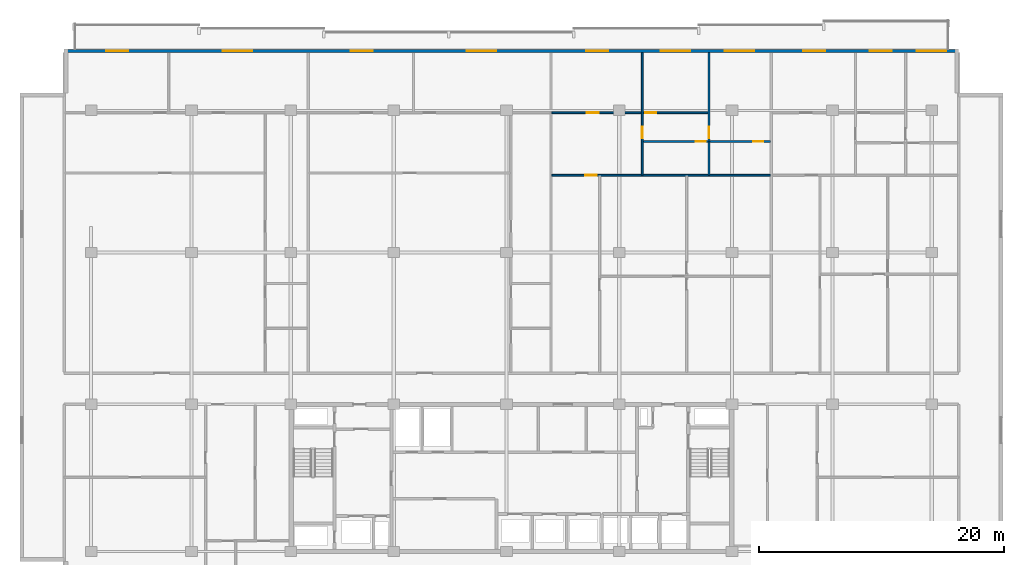
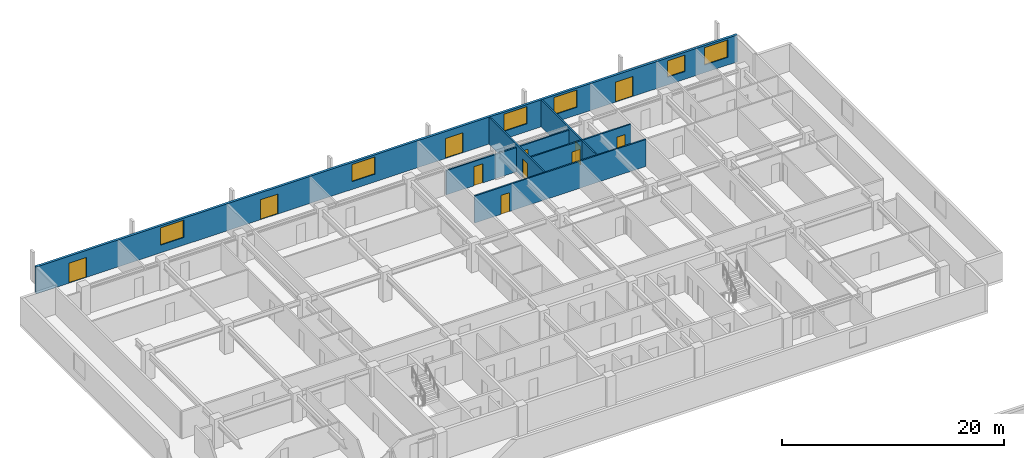
# One storey, part 14 of 21: 11 doors, 7 walls, 6 windows, 17 openings.
"""IFC4 building model written with IfcOpenShell, lengths in metres."""

from ifc_helpers import new_model, si_unit, direction, frame, frame_2d, origin, place, context, subcontext, project, spatial, rectangle, extrude, material, layer, layer_set, type_object, element, fill, save


model = new_model("IFC4")

# Units and contexts
model_context = context("Model", 3, precision=1e-05, world=origin(), true_north=direction((0.0, 1.0)))
body_context = subcontext(model_context, "Body", "Model", "MODEL_VIEW")
ifc_project = project(units=[si_unit("LENGTHUNIT", "METRE"), si_unit("AREAUNIT", "SQUARE_METRE"), si_unit("VOLUMEUNIT", "CUBIC_METRE"), si_unit("PLANEANGLEUNIT", "RADIAN"), si_unit("MASSUNIT", "GRAM", prefix="KILO")], contexts=[model_context])

# Site, building, storey
site_placement = place(None, origin())
site = spatial("IfcSite", under=ifc_project, at=site_placement, CompositionType="ELEMENT")
building_placement = place(site_placement, origin())
building = spatial("IfcBuilding", under=site, at=building_placement, Name="Korimba Cascade Residences", CompositionType="ELEMENT")
storey_placement = place(building_placement, frame((0.0, 0.0, 116.550048828125)))
storey = spatial("IfcBuildingStorey", under=building, at=storey_placement, Name="L33", CompositionType="ELEMENT", Elevation=116.550048828125)

# Wall, openings, doors, windows
ifc_material_1 = material(Name="Precast concrete C40/50", Category="concrete")
ifc_layer_1 = layer(ifc_material_1, 0.25)
ifc_layer_set_1 = layer_set([ifc_layer_1], Name="Precast concrete C40/50")
wall_type_1 = type_object("IfcWallType", Name="EW-LOG-250", PredefinedType="STANDARD", material=ifc_layer_set_1)
wall_1_placement = place(storey_placement, frame((130.60009765625, 96.050048828125, 0.0), z_axis=(0.0, 0.0, 1.0), x_axis=(-1.0, 0.0, 0.0)))
wall_1 = element("IfcWall", 1, at=wall_1_placement, inside=storey, type_object=wall_type_1, Name="L33 T1 Perimeter Stone Wall E06", PredefinedType="STANDARD", context=body_context, shape_type="SweptSolid", body=[
    extrude(rectangle(XDim=73.0, YDim=0.25, at=frame_2d((36.5, 0.0))), origin(), (0.0, 0.0, 1.0), 2.969970703125),
])
opening_1_placement = place(wall_1_placement, frame((67.7724609375, 0.0, 0.0)))
opening_1 = element("IfcOpeningElement", 2, at=opening_1_placement, cuts=wall_1, Name="Opening D-LG1", PredefinedType="OPENING", context=body_context, shape_type="SweptSolid", body=[
    extrude(rectangle(XDim=1.800048828125, YDim=2.199951171875, at=frame_2d((0.89990234375, 1.10009765625))), frame((0.0, 0.135009765625, 0.0), z_axis=(0.0, -1.0, 0.0), x_axis=(1.0, 0.0, 0.0)), (0.0, 0.0, 1.0), 0.27001953125),
])
opening_2_placement = place(wall_1_placement, frame((57.63720703125, 0.0, 0.85009765625)))
opening_2 = element("IfcOpeningElement", 3, at=opening_2_placement, cuts=wall_1, Name="Opening W-01", PredefinedType="OPENING", context=body_context, shape_type="SweptSolid", body=[
    extrude(rectangle(XDim=2.39990234375, YDim=1.89990234375, at=frame_2d((1.199951171875, 0.949951171875))), frame((0.0, 0.135009765625, 0.0), z_axis=(0.0, -1.0, 0.0), x_axis=(1.0, 0.0, 0.0)), (0.0, 0.0, 1.0), 0.27001953125),
])
opening_3_placement = place(wall_1_placement, frame((47.826904296875, 0.0, 0.0)))
opening_3 = element("IfcOpeningElement", 4, at=opening_3_placement, cuts=wall_1, Name="Opening D-LG1", PredefinedType="OPENING", context=body_context, shape_type="SweptSolid", body=[
    extrude(rectangle(XDim=1.800048828125, YDim=2.199951171875, at=frame_2d((0.89990234375, 1.10009765625))), frame((0.0, 0.135009765625, 0.0), z_axis=(0.0, -1.0, 0.0), x_axis=(1.0, 0.0, 0.0)), (0.0, 0.0, 1.0), 0.27001953125),
])
opening_4_placement = place(wall_1_placement, frame((37.736083984375, 0.0, 0.85009765625)))
opening_4 = element("IfcOpeningElement", 5, at=opening_4_placement, cuts=wall_1, Name="Opening W-01", PredefinedType="OPENING", context=body_context, shape_type="SweptSolid", body=[
    extrude(rectangle(XDim=2.39990234375, YDim=1.89990234375, at=frame_2d((1.199951171875, 0.949951171875))), frame((0.0, 0.135009765625, 0.0), z_axis=(0.0, -1.0, 0.0), x_axis=(1.0, 0.0, 0.0)), (0.0, 0.0, 1.0), 0.27001953125),
])
opening_5_placement = place(wall_1_placement, frame((21.89990234375, 0.0, 0.85009765625)))
opening_5 = element("IfcOpeningElement", 6, at=opening_5_placement, cuts=wall_1, Name="Opening W-01", PredefinedType="OPENING", context=body_context, shape_type="SweptSolid", body=[
    extrude(rectangle(XDim=2.39990234375, YDim=1.89990234375, at=frame_2d((1.199951171875, 0.949951171875))), frame((0.0, 0.135009765625, 0.0), z_axis=(0.0, -1.0, 0.0), x_axis=(1.0, 0.0, 0.0)), (0.0, 0.0, 1.0), 0.27001953125),
])
opening_6_placement = place(wall_1_placement, frame((28.584228515625, 0.0, 0.0)))
opening_6 = element("IfcOpeningElement", 7, at=opening_6_placement, cuts=wall_1, Name="Opening D-LG1", PredefinedType="OPENING", context=body_context, shape_type="SweptSolid", body=[
    extrude(rectangle(XDim=1.800048828125, YDim=2.199951171875, at=frame_2d((0.89990234375, 1.10009765625))), frame((0.0, 0.135009765625, 0.0), z_axis=(0.0, -1.0, 0.0), x_axis=(1.0, 0.0, 0.0)), (0.0, 0.0, 1.0), 0.27001953125),
])
opening_7_placement = place(wall_1_placement, frame((16.689453125, 0.0, 0.85009765625)))
opening_7 = element("IfcOpeningElement", 8, at=opening_7_placement, cuts=wall_1, Name="Opening W-01", PredefinedType="OPENING", context=body_context, shape_type="SweptSolid", body=[
    extrude(rectangle(XDim=2.39990234375, YDim=1.89990234375, at=frame_2d((1.199951171875, 0.949951171875))), frame((0.0, 0.135009765625, 0.0), z_axis=(0.0, -1.0, 0.0), x_axis=(1.0, 0.0, 0.0)), (0.0, 0.0, 1.0), 0.27001953125),
])
opening_8_placement = place(wall_1_placement, frame((5.4755859375, 0.0, 0.85009765625)))
opening_8 = element("IfcOpeningElement", 9, at=opening_8_placement, cuts=wall_1, Name="Opening W-02", PredefinedType="OPENING", context=body_context, shape_type="SweptSolid", body=[
    extrude(rectangle(XDim=1.800048828125, YDim=1.800048828125, at=frame_2d((0.89990234375, 0.89990234375))), frame((0.0, 0.135009765625, 0.0), z_axis=(0.0, -1.0, 0.0), x_axis=(1.0, 0.0, 0.0)), (0.0, 0.0, 1.0), 0.27001953125),
])
opening_9_placement = place(wall_1_placement, frame((10.889404296875, 0.0, 0.0)))
opening_9 = element("IfcOpeningElement", 10, at=opening_9_placement, cuts=wall_1, Name="Opening D-LG1", PredefinedType="OPENING", context=body_context, shape_type="SweptSolid", body=[
    extrude(rectangle(XDim=1.800048828125, YDim=2.199951171875, at=frame_2d((0.89990234375, 1.10009765625))), frame((0.0, 0.135009765625, 0.0), z_axis=(0.0, -1.0, 0.0), x_axis=(1.0, 0.0, 0.0)), (0.0, 0.0, 1.0), 0.27001953125),
])
opening_10_placement = place(wall_1_placement, frame((1.025390625, 0.0, 0.85009765625)))
opening_10 = element("IfcOpeningElement", 11, at=opening_10_placement, cuts=wall_1, Name="Opening W-01", PredefinedType="OPENING", context=body_context, shape_type="SweptSolid", body=[
    extrude(rectangle(XDim=2.39990234375, YDim=1.89990234375, at=frame_2d((1.199951171875, 0.949951171875))), frame((0.0, 0.135009765625, 0.0), z_axis=(0.0, -1.0, 0.0), x_axis=(1.0, 0.0, 0.0)), (0.0, 0.0, 1.0), 0.27001953125),
])
ifc_material_2 = material(Name="Glazed Aluminium Loggia Sliding Door", Category="aluminium")
door_type_1 = type_object("IfcDoorType", Name="DR-EXT-LOG", OperationType="NOTDEFINED", PredefinedType="DOOR", material=ifc_material_2)
door_1_placement = place(opening_1_placement, origin())
door_1 = element("IfcDoor", 12, at=door_1_placement, inside=storey, type_object=door_type_1, Name="L33 T1 Loggia Sliding Door 3", OperationType="SLIDING_TO_LEFT", OverallHeight=2.199951171875, OverallWidth=1.800048828125, PredefinedType="DOOR", context=body_context, shape_type="SweptSolid", body=[
    extrude(rectangle(XDim=1.800048828125, YDim=2.199951171875, at=frame_2d((0.89990234375, 1.10009765625))), frame((0.0, 0.02490234375, 0.0), z_axis=(0.0, -1.0, 0.0), x_axis=(1.0, 0.0, 0.0)), (0.0, 0.0, 1.0), 0.050048828125),
])
fill(opening_1, door_1)
door_2_placement = place(opening_3_placement, origin())
door_2 = element("IfcDoor", 13, at=door_2_placement, inside=storey, type_object=door_type_1, Name="L33 T1 Loggia Sliding Door 5", OperationType="SLIDING_TO_LEFT", OverallHeight=2.199951171875, OverallWidth=1.800048828125, PredefinedType="DOOR", context=body_context, shape_type="SweptSolid", body=[
    extrude(rectangle(XDim=1.800048828125, YDim=2.199951171875, at=frame_2d((0.89990234375, 1.10009765625))), frame((0.0, 0.02490234375, 0.0), z_axis=(0.0, -1.0, 0.0), x_axis=(1.0, 0.0, 0.0)), (0.0, 0.0, 1.0), 0.050048828125),
])
fill(opening_3, door_2)
door_3_placement = place(opening_6_placement, origin())
door_3 = element("IfcDoor", 14, at=door_3_placement, inside=storey, type_object=door_type_1, Name="L33 T1 Loggia Sliding Door 8", OperationType="SLIDING_TO_LEFT", OverallHeight=2.199951171875, OverallWidth=1.800048828125, PredefinedType="DOOR", context=body_context, shape_type="SweptSolid", body=[
    extrude(rectangle(XDim=1.800048828125, YDim=2.199951171875, at=frame_2d((0.89990234375, 1.10009765625))), frame((0.0, 0.02490234375, 0.0), z_axis=(0.0, -1.0, 0.0), x_axis=(1.0, 0.0, 0.0)), (0.0, 0.0, 1.0), 0.050048828125),
])
fill(opening_6, door_3)
door_4_placement = place(opening_9_placement, origin())
door_4 = element("IfcDoor", 15, at=door_4_placement, inside=storey, type_object=door_type_1, Name="L33 T1 Loggia Sliding Door 11", OperationType="SLIDING_TO_LEFT", OverallHeight=2.199951171875, OverallWidth=1.800048828125, PredefinedType="DOOR", context=body_context, shape_type="SweptSolid", body=[
    extrude(rectangle(XDim=1.800048828125, YDim=2.199951171875, at=frame_2d((0.89990234375, 1.10009765625))), frame((0.0, 0.02490234375, 0.0), z_axis=(0.0, -1.0, 0.0), x_axis=(1.0, 0.0, 0.0)), (0.0, 0.0, 1.0), 0.050048828125),
])
fill(opening_9, door_4)
ifc_material_3 = material(Name="Double-Glazed Aluminium Window", Category="aluminium")
window_type_1 = type_object("IfcWindowType", Name="WIN-BED-1800", PartitioningType="SINGLE_PANEL", PredefinedType="WINDOW", material=ifc_material_3)
window_1_placement = place(opening_8_placement, origin())
window_1 = element("IfcWindow", 16, at=window_1_placement, inside=storey, type_object=window_type_1, Name="L33 T1 North Facade Window 10", OverallHeight=1.800048828125, OverallWidth=1.800048828125, PartitioningType="SINGLE_PANEL", PredefinedType="WINDOW", context=body_context, shape_type="SweptSolid", body=[
    extrude(rectangle(XDim=1.800048828125, YDim=1.800048828125, at=frame_2d((0.89990234375, 0.89990234375))), frame((0.0, 0.030029296875, 0.0), z_axis=(0.0, -1.0, 0.0), x_axis=(1.0, 0.0, 0.0)), (0.0, 0.0, 1.0), 0.06005859375),
])
fill(opening_8, window_1)
window_type_2 = type_object("IfcWindowType", Name="WIN-RES-2400", PartitioningType="DOUBLE_PANEL_VERTICAL", PredefinedType="WINDOW", material=ifc_material_3)
window_2_placement = place(opening_2_placement, origin())
window_2 = element("IfcWindow", 17, at=window_2_placement, inside=storey, type_object=window_type_2, Name="L33 T1 North Facade Window 4", OverallHeight=1.89990234375, OverallWidth=2.39990234375, PartitioningType="DOUBLE_PANEL_VERTICAL", PredefinedType="WINDOW", context=body_context, shape_type="SweptSolid", body=[
    extrude(rectangle(XDim=2.39990234375, YDim=1.89990234375, at=frame_2d((1.199951171875, 0.949951171875))), frame((0.0, 0.030029296875, 0.0), z_axis=(0.0, -1.0, 0.0), x_axis=(1.0, 0.0, 0.0)), (0.0, 0.0, 1.0), 0.06005859375),
])
fill(opening_2, window_2)
window_3_placement = place(opening_4_placement, origin())
window_3 = element("IfcWindow", 18, at=window_3_placement, inside=storey, type_object=window_type_2, Name="L33 T1 North Facade Window 6", OverallHeight=1.89990234375, OverallWidth=2.39990234375, PartitioningType="DOUBLE_PANEL_VERTICAL", PredefinedType="WINDOW", context=body_context, shape_type="SweptSolid", body=[
    extrude(rectangle(XDim=2.39990234375, YDim=1.89990234375, at=frame_2d((1.199951171875, 0.949951171875))), frame((0.0, 0.030029296875, 0.0), z_axis=(0.0, -1.0, 0.0), x_axis=(1.0, 0.0, 0.0)), (0.0, 0.0, 1.0), 0.06005859375),
])
fill(opening_4, window_3)
window_4_placement = place(opening_5_placement, origin())
window_4 = element("IfcWindow", 19, at=window_4_placement, inside=storey, type_object=window_type_2, Name="L33 T1 North Facade Window 7", OverallHeight=1.89990234375, OverallWidth=2.39990234375, PartitioningType="DOUBLE_PANEL_VERTICAL", PredefinedType="WINDOW", context=body_context, shape_type="SweptSolid", body=[
    extrude(rectangle(XDim=2.39990234375, YDim=1.89990234375, at=frame_2d((1.199951171875, 0.949951171875))), frame((0.0, 0.030029296875, 0.0), z_axis=(0.0, -1.0, 0.0), x_axis=(1.0, 0.0, 0.0)), (0.0, 0.0, 1.0), 0.06005859375),
])
fill(opening_5, window_4)
window_5_placement = place(opening_7_placement, origin())
window_5 = element("IfcWindow", 20, at=window_5_placement, inside=storey, type_object=window_type_2, Name="L33 T1 North Facade Window 9", OverallHeight=1.89990234375, OverallWidth=2.39990234375, PartitioningType="DOUBLE_PANEL_VERTICAL", PredefinedType="WINDOW", context=body_context, shape_type="SweptSolid", body=[
    extrude(rectangle(XDim=2.39990234375, YDim=1.89990234375, at=frame_2d((1.199951171875, 0.949951171875))), frame((0.0, 0.030029296875, 0.0), z_axis=(0.0, -1.0, 0.0), x_axis=(1.0, 0.0, 0.0)), (0.0, 0.0, 1.0), 0.06005859375),
])
fill(opening_7, window_5)
window_6_placement = place(opening_10_placement, origin())
window_6 = element("IfcWindow", 21, at=window_6_placement, inside=storey, type_object=window_type_2, Name="L33 T1 North Facade Window 12", OverallHeight=1.89990234375, OverallWidth=2.39990234375, PartitioningType="DOUBLE_PANEL_VERTICAL", PredefinedType="WINDOW", context=body_context, shape_type="SweptSolid", body=[
    extrude(rectangle(XDim=2.39990234375, YDim=1.89990234375, at=frame_2d((1.199951171875, 0.949951171875))), frame((0.0, 0.030029296875, 0.0), z_axis=(0.0, -1.0, 0.0), x_axis=(1.0, 0.0, 0.0)), (0.0, 0.0, 1.0), 0.06005859375),
])
fill(opening_10, window_6)

# Wall, opening, door
ifc_material_4 = material(Name="Insulated Acoustic Stud Partition", Category="gypsum")
ifc_layer_2 = layer(ifc_material_4, 0.14990234375)
ifc_layer_set_2 = layer_set([ifc_layer_2], Name="Insulated Acoustic Stud Partition")
wall_type_2 = type_object("IfcWallType", Name="WAL-PART-150", PredefinedType="PARTITIONING", material=ifc_layer_set_2)
wall_2_placement = place(storey_placement, frame((104.780029296875, 85.93994140625, 0.0), z_axis=(0.0, 0.0, 1.0), x_axis=(0.0, 1.0, 0.0)))
wall_2 = element("IfcWall", 22, at=wall_2_placement, inside=storey, type_object=wall_type_2, Name="L33 Partition Wall WAL-L33-T1-U03-V1", PredefinedType="PARTITIONING", context=body_context, shape_type="SweptSolid", body=[
    extrude(rectangle(XDim=9.9599609375, YDim=0.14990234375, at=frame_2d((4.97998046875, 0.0))), origin(), (0.0, 0.0, 1.0), 2.969970703125),
])
opening_11_placement = place(wall_2_placement, frame((2.989990234375, 0.0, 0.0)))
opening_11 = element("IfcOpeningElement", 23, at=opening_11_placement, cuts=wall_2, Name="Opening D-IN1", PredefinedType="OPENING", context=body_context, shape_type="SweptSolid", body=[
    extrude(rectangle(XDim=0.919921875, YDim=2.080078125, at=frame_2d((0.4599609375, 1.0400390625))), frame((0.0, 0.0849609375, 0.0), z_axis=(0.0, -1.0, 0.0), x_axis=(1.0, 0.0, 0.0)), (0.0, 0.0, 1.0), 0.169921875),
])
ifc_material_5 = material(Name="Acoustic Timber Living Door", Category="wood")
door_type_2 = type_object("IfcDoorType", Name="DR-INT-920", OperationType="NOTDEFINED", PredefinedType="DOOR", material=ifc_material_5)
door_5_placement = place(opening_11_placement, origin())
door_5 = element("IfcDoor", 24, at=door_5_placement, inside=storey, type_object=door_type_2, Name="L33-T1-U03 Hallway Door", OperationType="SINGLE_SWING_RIGHT", OverallHeight=2.080078125, OverallWidth=0.919921875, PredefinedType="DOOR", context=body_context, shape_type="SweptSolid", body=[
    extrude(rectangle(XDim=0.919921875, YDim=2.080078125, at=frame_2d((0.4599609375, 1.0400390625))), frame((0.0, 0.02490234375, 0.0), z_axis=(0.0, -1.0, 0.0), x_axis=(1.0, 0.0, 0.0)), (0.0, 0.0, 1.0), 0.050048828125),
])
fill(opening_11, door_5)

# Wall
wall_3_placement = place(storey_placement, frame((110.219970703125, 85.93994140625, 0.0), z_axis=(0.0, 0.0, 1.0), x_axis=(0.0, 1.0, 0.0)))
element("IfcWall", 25, at=wall_3_placement, inside=storey, type_object=wall_type_2, Name="L33 Partition Wall WAL-L33-T1-U03-VBATH", PredefinedType="PARTITIONING", context=body_context, shape_type="SweptSolid", body=[
    extrude(rectangle(XDim=2.68994140625, YDim=0.14990234375, at=frame_2d((1.344970703125, 0.0))), origin(), (0.0, 0.0, 1.0), 2.969970703125),
])

# Wall, opening, door
wall_4_placement = place(storey_placement, frame((110.219970703125, 88.669921875, 0.0), z_axis=(0.0, 0.0, 1.0), x_axis=(0.0, 1.0, 0.0)))
wall_4 = element("IfcWall", 26, at=wall_4_placement, inside=storey, type_object=wall_type_2, Name="L33 Partition Wall WAL-L33-T1-U03-V2FULL", PredefinedType="PARTITIONING", context=body_context, shape_type="SweptSolid", body=[
    extrude(rectangle(XDim=7.22998046875, YDim=0.14990234375, at=frame_2d((3.614990234375, 0.0))), origin(), (0.0, 0.0, 1.0), 2.969970703125),
])
opening_12_placement = place(wall_4_placement, frame((0.260009765625, 0.0, 0.0)))
opening_12 = element("IfcOpeningElement", 27, at=opening_12_placement, cuts=wall_4, Name="Opening D-IN1", PredefinedType="OPENING", context=body_context, shape_type="SweptSolid", body=[
    extrude(rectangle(XDim=0.919921875, YDim=2.080078125, at=frame_2d((0.4599609375, 1.0400390625))), frame((0.0, 0.0849609375, 0.0), z_axis=(0.0, -1.0, 0.0), x_axis=(1.0, 0.0, 0.0)), (0.0, 0.0, 1.0), 0.169921875),
])
door_6_placement = place(opening_12_placement, origin())
door_6 = element("IfcDoor", 28, at=door_6_placement, inside=storey, type_object=door_type_2, Name="L33-T1-U03 Master Bedroom Door", OperationType="SINGLE_SWING_LEFT", OverallHeight=2.080078125, OverallWidth=0.919921875, PredefinedType="DOOR", context=body_context, shape_type="SweptSolid", body=[
    extrude(rectangle(XDim=0.919921875, YDim=2.080078125, at=frame_2d((0.4599609375, 1.0400390625))), frame((0.0, 0.02490234375, 0.0), z_axis=(0.0, -1.0, 0.0), x_axis=(1.0, 0.0, 0.0)), (0.0, 0.0, 1.0), 0.050048828125),
])
fill(opening_12, door_6)

# Wall, openings, doors
wall_5_placement = place(storey_placement, frame((104.820068359375, 88.64990234375, 0.0), z_axis=(0.0, 0.0, 1.0), x_axis=(1.0, 0.0, 0.0)))
wall_5 = element("IfcWall", 29, at=wall_5_placement, inside=storey, type_object=wall_type_2, Name="L33 Partition Wall WAL-L33-T1-U03-HWALL", PredefinedType="PARTITIONING", context=body_context, shape_type="SweptSolid", body=[
    extrude(rectangle(XDim=10.421142578125, YDim=0.14990234375, at=frame_2d((5.21044921875, 0.0))), origin(), (0.0, 0.0, 1.0), 2.969970703125),
])
opening_13_placement = place(wall_5_placement, frame((4.31005859375, 0.0, 0.0)))
opening_13 = element("IfcOpeningElement", 30, at=opening_13_placement, cuts=wall_5, Name="Opening D-BT1", PredefinedType="OPENING", context=body_context, shape_type="SweptSolid", body=[
    extrude(rectangle(XDim=0.840087890625, YDim=2.0400390625, at=frame_2d((0.419921875, 1.02001953125))), frame((0.0, 0.0849609375, 0.0), z_axis=(0.0, -1.0, 0.0), x_axis=(1.0, 0.0, 0.0)), (0.0, 0.0, 1.0), 0.169921875),
])
opening_14_placement = place(wall_5_placement, frame((8.999755859375, 0.0, 0.0)))
opening_14 = element("IfcOpeningElement", 31, at=opening_14_placement, cuts=wall_5, Name="Opening D-BT1", PredefinedType="OPENING", context=body_context, shape_type="SweptSolid", body=[
    extrude(rectangle(XDim=0.840087890625, YDim=2.0400390625, at=frame_2d((0.419921875, 1.02001953125))), frame((0.0, 0.0849609375, 0.0), z_axis=(0.0, -1.0, 0.0), x_axis=(1.0, 0.0, 0.0)), (0.0, 0.0, 1.0), 0.169921875),
])
ifc_material_6 = material(Name="Moisture-Resistant Bathroom Timber Door", Category="wood")
door_type_3 = type_object("IfcDoorType", Name="DR-INT-850", OperationType="NOTDEFINED", PredefinedType="DOOR", material=ifc_material_6)
door_7_placement = place(opening_13_placement, origin())
door_7 = element("IfcDoor", 32, at=door_7_placement, inside=storey, type_object=door_type_3, Name="L33-T1-U03 Family Bathroom Door", OperationType="SINGLE_SWING_RIGHT", OverallHeight=2.0400390625, OverallWidth=0.840087890625, PredefinedType="DOOR", context=body_context, shape_type="SweptSolid", body=[
    extrude(rectangle(XDim=0.840087890625, YDim=2.0400390625, at=frame_2d((0.419921875, 1.02001953125))), frame((0.0, 0.02490234375, 0.0), z_axis=(0.0, -1.0, 0.0), x_axis=(1.0, 0.0, 0.0)), (0.0, 0.0, 1.0), 0.050048828125),
])
fill(opening_13, door_7)
door_8_placement = place(opening_14_placement, origin())
door_8 = element("IfcDoor", 33, at=door_8_placement, inside=storey, type_object=door_type_3, Name="L33-T1-U03 En-Suite Door", OperationType="SINGLE_SWING_LEFT", OverallHeight=2.0400390625, OverallWidth=0.840087890625, PredefinedType="DOOR", context=body_context, shape_type="SweptSolid", body=[
    extrude(rectangle(XDim=0.840087890625, YDim=2.0400390625, at=frame_2d((0.419921875, 1.02001953125))), frame((0.0, 0.02490234375, 0.0), z_axis=(0.0, -1.0, 0.0), x_axis=(1.0, 0.0, 0.0)), (0.0, 0.0, 1.0), 0.050048828125),
])
fill(opening_14, door_8)

# Wall, opening, door
wall_6_placement = place(storey_placement, frame((97.41162109375, 85.89990234375, 0.0), z_axis=(0.0, 0.0, 1.0), x_axis=(1.0, 0.0, 0.0)))
wall_6 = element("IfcWall", 34, at=wall_6_placement, inside=storey, type_object=wall_type_2, Name="L33 Partition Wall WAL-L33-T1-U03-MW", PredefinedType="PARTITIONING", context=body_context, shape_type="SweptSolid", body=[
    extrude(rectangle(XDim=17.82958984375, YDim=0.14990234375, at=frame_2d((8.914794921875, 0.0))), origin(), (0.0, 0.0, 1.0), 2.969970703125),
])
opening_15_placement = place(wall_6_placement, frame((2.719970703125, 0.0, 0.0)))
opening_15 = element("IfcOpeningElement", 35, at=opening_15_placement, cuts=wall_6, Name="Opening D-IN1", PredefinedType="OPENING", context=body_context, shape_type="SweptSolid", body=[
    extrude(rectangle(XDim=0.919921875, YDim=2.080078125, at=frame_2d((0.4599609375, 1.0400390625))), frame((0.0, 0.0849609375, 0.0), z_axis=(0.0, -1.0, 0.0), x_axis=(1.0, 0.0, 0.0)), (0.0, 0.0, 1.0), 0.169921875),
])
door_9_placement = place(opening_15_placement, origin())
door_9 = element("IfcDoor", 36, at=door_9_placement, inside=storey, type_object=door_type_2, Name="L33-T1-U03 Kitchen Door", OperationType="SINGLE_SWING_RIGHT", OverallHeight=2.080078125, OverallWidth=0.919921875, PredefinedType="DOOR", context=body_context, shape_type="SweptSolid", body=[
    extrude(rectangle(XDim=0.919921875, YDim=2.080078125, at=frame_2d((0.4599609375, 1.0400390625))), frame((0.0, 0.02490234375, 0.0), z_axis=(0.0, -1.0, 0.0), x_axis=(1.0, 0.0, 0.0)), (0.0, 0.0, 1.0), 0.050048828125),
])
fill(opening_15, door_9)

# Wall, openings, doors
wall_7_placement = place(storey_placement, frame((97.41162109375, 91.0, 0.0), z_axis=(0.0, 0.0, 1.0), x_axis=(1.0, 0.0, 0.0)))
wall_7 = element("IfcWall", 37, at=wall_7_placement, inside=storey, type_object=wall_type_2, Name="L33 Partition Wall WAL-L33-T1-U03-HZ", PredefinedType="PARTITIONING", context=body_context, shape_type="SweptSolid", body=[
    extrude(rectangle(XDim=12.808349609375, YDim=0.14990234375, at=frame_2d((6.404296875, 0.0))), origin(), (0.0, 0.0, 1.0), 2.663330078125),
])
opening_16_placement = place(wall_7_placement, frame((2.8583984375, 0.0, 0.0)))
opening_16 = element("IfcOpeningElement", 38, at=opening_16_placement, cuts=wall_7, Name="Opening D-IN0", PredefinedType="OPENING", context=body_context, shape_type="SweptSolid", body=[
    extrude(rectangle(XDim=0.93994140625, YDim=2.10009765625, at=frame_2d((0.469970703125, 1.050048828125))), frame((0.0, 0.0849609375, 0.0), z_axis=(0.0, -1.0, 0.0), x_axis=(1.0, 0.0, 0.0)), (0.0, 0.0, 1.0), 0.169921875),
])
opening_17_placement = place(wall_7_placement, frame((7.618408203125, 0.0, 0.0)))
opening_17 = element("IfcOpeningElement", 39, at=opening_17_placement, cuts=wall_7, Name="Opening D-IN2", PredefinedType="OPENING", context=body_context, shape_type="SweptSolid", body=[
    extrude(rectangle(XDim=0.8798828125, YDim=2.06005859375, at=frame_2d((0.43994140625, 1.030029296875))), frame((0.0, 0.0849609375, 0.0), z_axis=(0.0, -1.0, 0.0), x_axis=(1.0, 0.0, 0.0)), (0.0, 0.0, 1.0), 0.169921875),
])
ifc_material_7 = material(Name="Acoustic Timber Bedroom Door", Category="wood")
door_type_4 = type_object("IfcDoorType", Name="DR-INT-880", OperationType="NOTDEFINED", PredefinedType="DOOR", material=ifc_material_7)
door_10_placement = place(opening_17_placement, origin())
door_10 = element("IfcDoor", 40, at=door_10_placement, inside=storey, type_object=door_type_4, Name="L33-T1-U03 Bedroom 2 Door", OperationType="SINGLE_SWING_RIGHT", OverallHeight=2.06005859375, OverallWidth=0.8798828125, PredefinedType="DOOR", context=body_context, shape_type="SweptSolid", body=[
    extrude(rectangle(XDim=0.8798828125, YDim=2.06005859375, at=frame_2d((0.43994140625, 1.030029296875))), frame((0.0, 0.02490234375, 0.0), z_axis=(0.0, -1.0, 0.0), x_axis=(1.0, 0.0, 0.0)), (0.0, 0.0, 1.0), 0.050048828125),
])
fill(opening_17, door_10)
ifc_material_8 = material(Name="Acoustic Timber Living Archway Door", Category="wood")
door_type_5 = type_object("IfcDoorType", Name="DR-INT-950", OperationType="NOTDEFINED", PredefinedType="DOOR", material=ifc_material_8)
door_11_placement = place(opening_16_placement, origin())
door_11 = element("IfcDoor", 41, at=door_11_placement, inside=storey, type_object=door_type_5, Name="L33-T1-U03 Living Room Door", OperationType="SINGLE_SWING_LEFT", OverallHeight=2.10009765625, OverallWidth=0.93994140625, PredefinedType="DOOR", context=body_context, shape_type="SweptSolid", body=[
    extrude(rectangle(XDim=0.93994140625, YDim=2.10009765625, at=frame_2d((0.469970703125, 1.050048828125))), frame((0.0, 0.02490234375, 0.0), z_axis=(0.0, -1.0, 0.0), x_axis=(1.0, 0.0, 0.0)), (0.0, 0.0, 1.0), 0.050048828125),
])
fill(opening_16, door_11)

save(model, "model.ifc")
